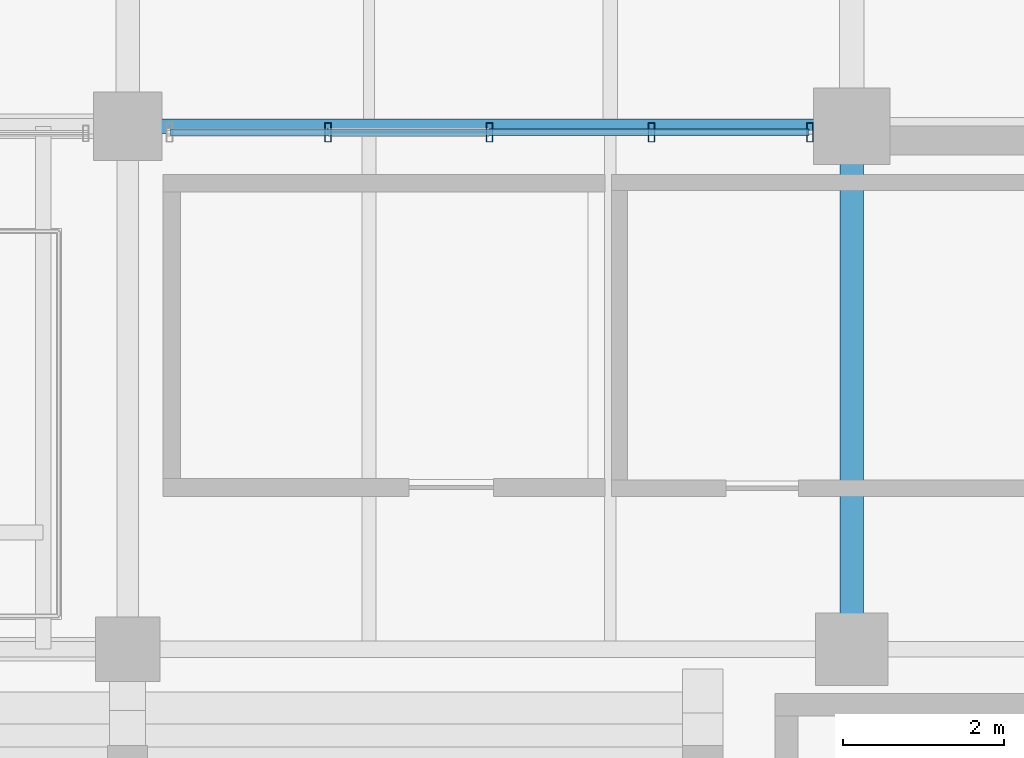
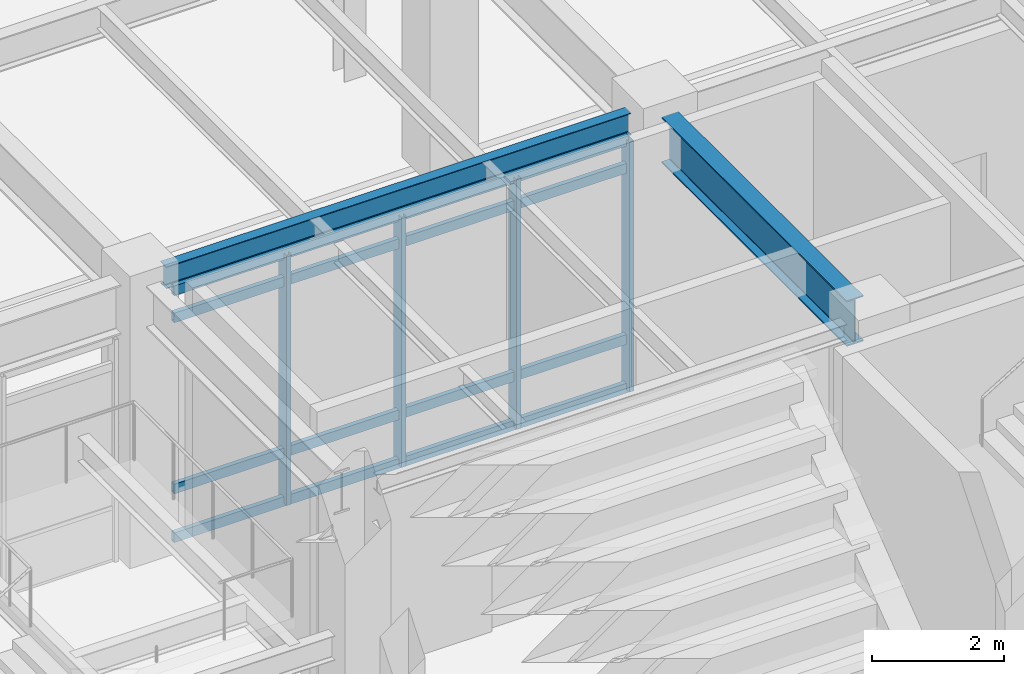
# One storey, part 84 of 203: 8 members, 2 beams, 1 element without a shape of its own.
"""IFC4 building model written with IfcOpenShell, lengths in metres."""

from ifc_helpers import new_model, si_unit, direction, frame, origin, origin_2d, place, context, subcontext, project, spatial, hollow_rectangle, i_section, extrude, material, material_profile, profile_set, type_object, element, aggregate, save


model = new_model("IFC4")

# Units and contexts
model_context = context("Model", 3, precision=1e-05, world=origin(), true_north=direction((0.0, 1.0)))
body_context = subcontext(model_context, "Body", "Model", "MODEL_VIEW")
ifc_project = project(units=[si_unit("LENGTHUNIT", "METRE"), si_unit("AREAUNIT", "SQUARE_METRE"), si_unit("VOLUMEUNIT", "CUBIC_METRE"), si_unit("PLANEANGLEUNIT", "RADIAN"), si_unit("MASSUNIT", "GRAM", prefix="KILO"), si_unit("THERMODYNAMICTEMPERATUREUNIT", "KELVIN"), si_unit("POWERUNIT", "WATT")], contexts=[model_context])

# Site, building, storey
site_placement = place(None, origin())
site = spatial("IfcSite", under=ifc_project, at=site_placement, CompositionType="ELEMENT")
building_placement = place(site_placement, origin())
building = spatial("IfcBuilding", under=site, at=building_placement, Name="Tepalcoro Natatorium and Aquatics Centre", CompositionType="ELEMENT")
storey_placement = place(building_placement, origin())
storey = spatial("IfcBuildingStorey", under=building, at=storey_placement, Name="L00", CompositionType="ELEMENT", Elevation=0.0)

# Beams
ifc_material_1 = material(Name="Steel ASTM A992 Grade 50 (Fy 345 MPa)", Category="steel")
ifc_material_profile_1 = material_profile(ifc_material_1, i_section(OverallWidth=0.177978515625, OverallDepth=0.406005859375, WebThickness=0.008056640625, FlangeThickness=0.012939453125, FilletRadius=0.013916015625, at=origin_2d()), Name="W16X40")
ifc_profile_set_1 = profile_set([ifc_material_profile_1], Name="Steel ASTM A992 Grade 50 (Fy 345 MPa)")
beam_type_1 = type_object("IfcBeamType", Name="BM_W16x40", PredefinedType="BEAM", material=ifc_profile_set_1)
beam_1_placement = place(storey_placement, frame((107.409912109375, 65.5, 4.882080078125), z_axis=(1.0, 0.0, 0.0), x_axis=(0.0, 1.0, 0.0)))
element("IfcBeam", 1, at=beam_1_placement, inside=storey, type_object=beam_type_1, Name="V1 L00 Grid Girder X", PredefinedType="BEAM", context=body_context, shape_type="SweptSolid", body=[
    extrude(i_section(OverallWidth=0.177978515625, OverallDepth=0.406005859375, WebThickness=0.008056640625, FlangeThickness=0.012939453125, FilletRadius=0.013916015625, at=origin_2d()), origin(), (0.0, 0.0, 1.0), 8.130126953125),
])
ifc_material_profile_2 = material_profile(ifc_material_1, i_section(OverallWidth=0.2919921875, OverallDepth=0.845947265625, WebThickness=0.014892578125, FlangeThickness=0.02392578125, FilletRadius=0.013916015625, at=origin_2d()), Name="W33X141")
ifc_profile_set_2 = profile_set([ifc_material_profile_2], Name="Steel ASTM A992 Grade 50 (Fy 345 MPa)")
beam_type_2 = type_object("IfcBeamType", Name="BM_W33x141", PredefinedType="BEAM", material=ifc_profile_set_2)
beam_2_placement = place(storey_placement, frame((116.0, 59.43505859375, 4.701904296875), z_axis=(0.0, 1.0, 0.0), x_axis=(-1.0, 0.0, 0.0)))
element("IfcBeam", 2, at=beam_2_placement, inside=storey, type_object=beam_type_2, Name="V1 L00 Grid Girder Y", PredefinedType="BEAM", context=body_context, shape_type="SweptSolid", body=[
    extrude(i_section(OverallWidth=0.2919921875, OverallDepth=0.845947265625, WebThickness=0.014892578125, FlangeThickness=0.02392578125, FilletRadius=0.013916015625, at=origin_2d()), origin(), (0.0, 0.0, 1.0), 5.60498046875),
])

# Curtain wall, members
ifc_material_2 = material(Name="Bronze-Anodised Extruded Aluminium Alloy EN AW-6063 T6", Category="aluminium")
curtain_wall_type = type_object("IfcCurtainWallType", Name="CW_V4_VILLAGE", PredefinedType="USERDEFINED", material=ifc_material_2)
curtain_wall_placement = place(storey_placement, origin())
curtain_wall = element("IfcCurtainWall", 3, at=curtain_wall_placement, inside=storey, type_object=curtain_wall_type, Name="V1 L00 N Unitised Curtain Wall Bay 8", ObjectType="UNITISED STOREFRONT", PredefinedType="USERDEFINED")
ifc_material_profile_3 = material_profile(ifc_material_2, hollow_rectangle(XDim=0.080078125, YDim=0.239990234375, WallThickness=0.0048828125, at=origin_2d()), Name="AL80X240X5")
ifc_profile_set_3 = profile_set([ifc_material_profile_3], Name="Bronze-Anodised Extruded Aluminium Alloy EN AW-6063 T6")
member_type_1 = type_object("IfcMemberType", Name="CW_MUL_80x240", PredefinedType="MULLION", material=ifc_profile_set_3)
member_1_placement = place(storey_placement, frame((109.489990234375, 65.423828125, 0.02001953125), z_axis=(0.0, 0.0, 1.0), x_axis=(1.0, 0.0, 0.0)))
member_1 = element("IfcMember", 4, at=member_1_placement, type_object=member_type_1, Name="CW_V4_VILLAGE Curtain Wall Mullion", PredefinedType="MULLION", context=body_context, shape_type="SweptSolid", body=[
    extrude(hollow_rectangle(XDim=0.080078125, YDim=0.239990234375, WallThickness=0.0048828125, at=origin_2d()), origin(), (0.0, 0.0, 1.0), 4.6240234375),
])
member_2_placement = place(storey_placement, frame((111.5, 65.423828125, 0.02001953125), z_axis=(0.0, 0.0, 1.0), x_axis=(1.0, 0.0, 0.0)))
member_2 = element("IfcMember", 5, at=member_2_placement, type_object=member_type_1, Name="CW_V4_VILLAGE Curtain Wall Mullion", PredefinedType="MULLION", context=body_context, shape_type="SweptSolid", body=[
    extrude(hollow_rectangle(XDim=0.080078125, YDim=0.239990234375, WallThickness=0.0048828125, at=origin_2d()), origin(), (0.0, 0.0, 1.0), 4.6240234375),
])
member_3_placement = place(storey_placement, frame((113.510009765625, 65.423828125, 0.02001953125), z_axis=(0.0, 0.0, 1.0), x_axis=(1.0, 0.0, 0.0)))
member_3 = element("IfcMember", 6, at=member_3_placement, type_object=member_type_1, Name="CW_V4_VILLAGE Curtain Wall Mullion", PredefinedType="MULLION", context=body_context, shape_type="SweptSolid", body=[
    extrude(hollow_rectangle(XDim=0.080078125, YDim=0.239990234375, WallThickness=0.0048828125, at=origin_2d()), origin(), (0.0, 0.0, 1.0), 4.6240234375),
])
member_4_placement = place(storey_placement, frame((115.47998046875, 65.423828125, 0.02001953125), z_axis=(0.0, 0.0, 1.0), x_axis=(1.0, 0.0, 0.0)))
member_4 = element("IfcMember", 7, at=member_4_placement, type_object=member_type_1, Name="CW_V4_VILLAGE Curtain Wall Mullion", PredefinedType="MULLION", context=body_context, shape_type="SweptSolid", body=[
    extrude(hollow_rectangle(XDim=0.080078125, YDim=0.239990234375, WallThickness=0.0048828125, at=origin_2d()), origin(), (0.0, 0.0, 1.0), 4.6240234375),
])
ifc_material_profile_4 = material_profile(ifc_material_2, hollow_rectangle(XDim=0.080078125, YDim=0.179931640625, WallThickness=0.0048828125, at=origin_2d()), Name="AL80X180X5")
ifc_profile_set_4 = profile_set([ifc_material_profile_4], Name="Bronze-Anodised Extruded Aluminium Alloy EN AW-6063 T6")
member_type_2 = type_object("IfcMemberType", Name="CW_TRN_80x180", PredefinedType="USERDEFINED", material=ifc_profile_set_4)
member_5_placement = place(storey_placement, frame((107.530029296875, 65.423828125, 0.050048828125), z_axis=(1.0, 0.0, 0.0), x_axis=(0.0, 1.0, 0.0)))
member_5 = element("IfcMember", 8, at=member_5_placement, type_object=member_type_2, Name="CW_V4_VILLAGE Curtain Wall Transom", ObjectType="TRANSOM", PredefinedType="USERDEFINED", context=body_context, shape_type="SweptSolid", body=[
    extrude(hollow_rectangle(XDim=0.080078125, YDim=0.179931640625, WallThickness=0.0048828125, at=origin_2d()), origin(), (0.0, 0.0, 1.0), 7.93994140625),
])
member_6_placement = place(storey_placement, frame((107.530029296875, 65.423828125, 0.949951171875), z_axis=(1.0, 0.0, 0.0), x_axis=(0.0, 1.0, 0.0)))
member_6 = element("IfcMember", 9, at=member_6_placement, type_object=member_type_2, Name="CW_V4_VILLAGE Curtain Wall Transom", ObjectType="TRANSOM", PredefinedType="USERDEFINED", context=body_context, shape_type="SweptSolid", body=[
    extrude(hollow_rectangle(XDim=0.080078125, YDim=0.179931640625, WallThickness=0.0048828125, at=origin_2d()), origin(), (0.0, 0.0, 1.0), 7.93994140625),
])
member_7_placement = place(storey_placement, frame((107.530029296875, 65.423828125, 4.114013671875), z_axis=(1.0, 0.0, 0.0), x_axis=(0.0, 1.0, 0.0)))
member_7 = element("IfcMember", 10, at=member_7_placement, type_object=member_type_2, Name="CW_V4_VILLAGE Curtain Wall Transom", ObjectType="TRANSOM", PredefinedType="USERDEFINED", context=body_context, shape_type="SweptSolid", body=[
    extrude(hollow_rectangle(XDim=0.080078125, YDim=0.179931640625, WallThickness=0.0048828125, at=origin_2d()), origin(), (0.0, 0.0, 1.0), 7.93994140625),
])
member_8_placement = place(storey_placement, frame((107.530029296875, 65.423828125, 4.614013671875), z_axis=(1.0, 0.0, 0.0), x_axis=(0.0, 1.0, 0.0)))
member_8 = element("IfcMember", 11, at=member_8_placement, type_object=member_type_2, Name="CW_V4_VILLAGE Curtain Wall Transom", ObjectType="TRANSOM", PredefinedType="USERDEFINED", context=body_context, shape_type="SweptSolid", body=[
    extrude(hollow_rectangle(XDim=0.080078125, YDim=0.179931640625, WallThickness=0.0048828125, at=origin_2d()), origin(), (0.0, 0.0, 1.0), 7.93994140625),
])
aggregate(curtain_wall, [member_1, member_2, member_3, member_4, member_5, member_6, member_7, member_8])

save(model, "model.ifc")
